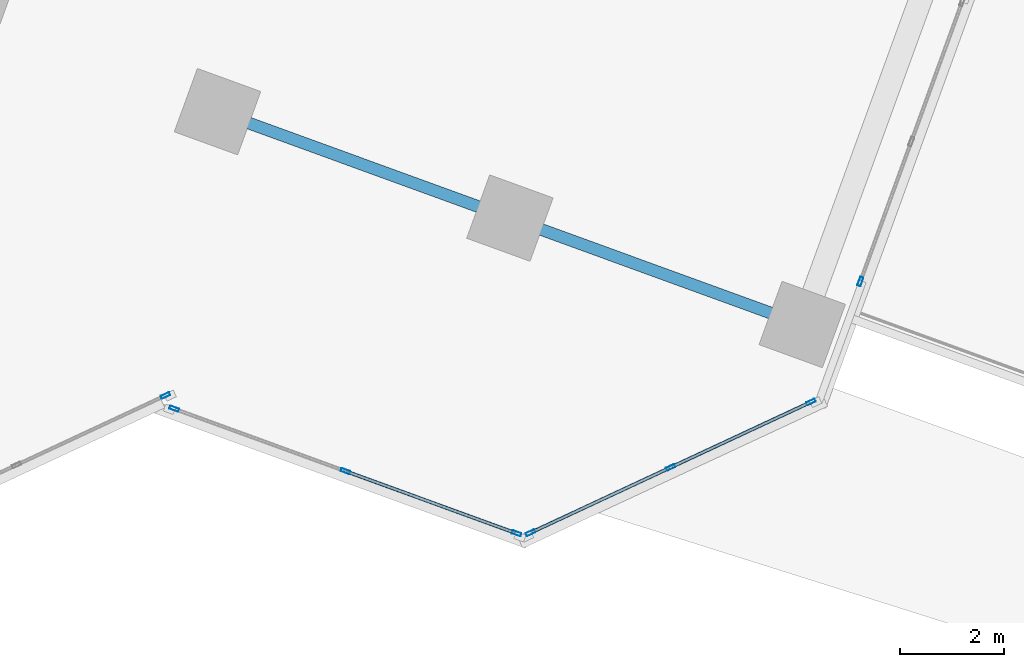
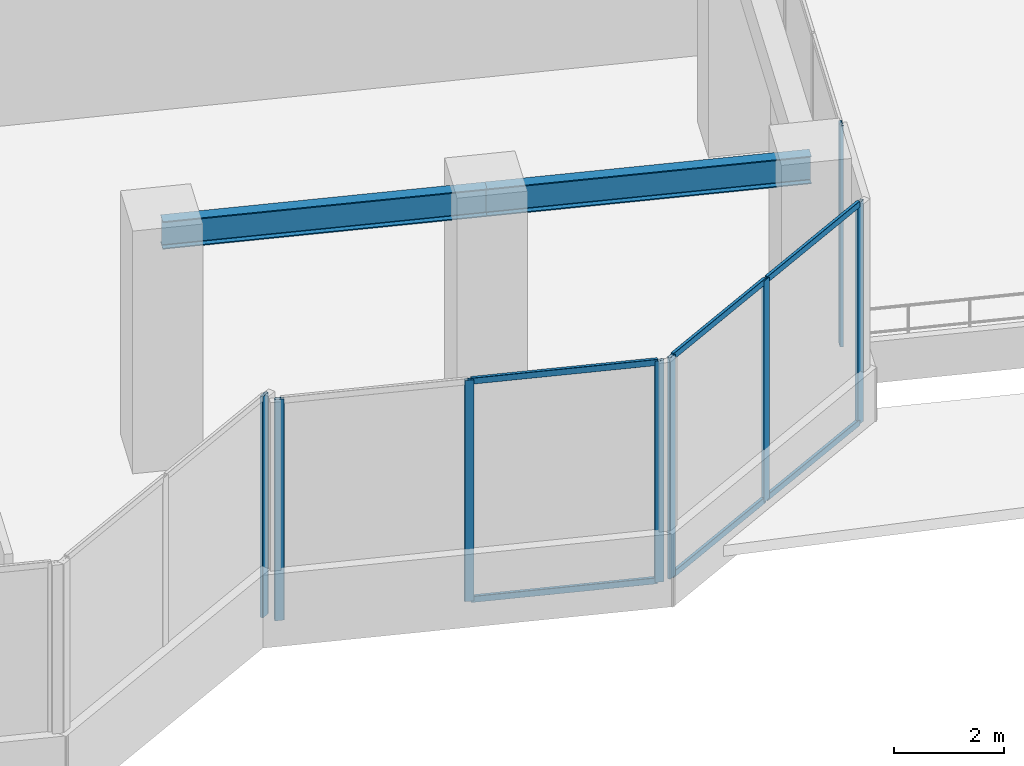
# One storey, part 8 of 21: 14 members, 2 beams, 4 elements without a shape of their own.
"""IFC4 building model written with IfcOpenShell, lengths in metres."""

from ifc_helpers import new_model, si_unit, direction, frame, origin, origin_2d, place, context, subcontext, project, spatial, hollow_rectangle, i_section, extrude, source, transform, mapped, material, material_profile, profile_set, type_object, element, aggregate, save


model = new_model("IFC4")

# Units and contexts
model_context = context("Model", 3, precision=1e-05, world=origin(), true_north=direction((0.0, 1.0)))
body_context = subcontext(model_context, "Body", "Model", "MODEL_VIEW")
ifc_project = project(units=[si_unit("LENGTHUNIT", "METRE"), si_unit("AREAUNIT", "SQUARE_METRE"), si_unit("VOLUMEUNIT", "CUBIC_METRE"), si_unit("PLANEANGLEUNIT", "RADIAN"), si_unit("MASSUNIT", "GRAM", prefix="KILO")], contexts=[model_context])

# Site, building, storey
site_placement = place(None, origin())
site = spatial("IfcSite", under=ifc_project, at=site_placement, CompositionType="ELEMENT")
building_placement = place(site_placement, origin())
building = spatial("IfcBuilding", under=site, at=building_placement, Name="Torre Montelarca", CompositionType="ELEMENT")
storey_placement = place(building_placement, frame((0.0, 0.0, 127.60009765625)))
storey = spatial("IfcBuildingStorey", under=building, at=storey_placement, Name="L28", CompositionType="ELEMENT", Elevation=127.60009765625)

# Beams
ifc_material_1 = material(Name="Steel ASTM A992 Grade 50", Category="steel")
ifc_material_profile_1 = material_profile(ifc_material_1, i_section(OverallWidth=0.22998046875, OverallDepth=0.616943359375, WebThickness=0.01318359375, FlangeThickness=0.022216796875, FilletRadius=0.014892578125, at=origin_2d()), Name="W610X140", Category="steel")
ifc_profile_set_1 = profile_set([ifc_material_profile_1], Name="Steel ASTM A992 Grade 50")
beam_type = type_object("IfcBeamType", Name="BM-G-W610", PredefinedType="BEAM", material=ifc_profile_set_1)
shared_shape_1 = source(origin(), body_context, "Body", "SweptSolid", [
    extrude(i_section(OverallWidth=0.22998046875, OverallDepth=0.616943359375, WebThickness=0.01318359375, FlangeThickness=0.022216796875, FilletRadius=0.014892578125, at=origin_2d()), origin(), (0.0, 0.0, 1.0), 6.0),
])
for number, where, z_axis, x_axis, name in (
    (1, (32.389404296875, 19.523193359375, 4.850830078125), (0.939686455819, -0.342037080957, 0.0), (0.342037080957, 0.939686455819, 0.0), "L28 Grid Girder X 36.0-42.0 at Y=24.0"),
    (2, (38.027587890625, 17.470947265625, 4.850830078125), (0.939699533273, -0.342001150825, 0.0), (0.342001150825, 0.939699533273, 0.0), "L28 Grid Girder X 42.0-48.0 at Y=24.0"),
):
    element("IfcBeam", number, at=place(storey_placement, frame(where, z_axis=z_axis, x_axis=x_axis)), inside=storey, type_object=beam_type, Name=name, PredefinedType="BEAM", context=body_context, shape_type="MappedRepresentation", body=[
        mapped(shared_shape_1, transform((0.0, 0.0, 0.0), scale=1.0)),
    ])

# Curtain wall, members
ifc_material_2 = material(Name="Insulated low-E laminated glass", Category="glass")
curtain_wall_type = type_object("IfcCurtainWallType", Name="CW-SYS-Z2", PredefinedType="USERDEFINED", material=ifc_material_2)
curtain_wall_1_placement = place(storey_placement, origin())
curtain_wall_1 = element("IfcCurtainWall", 3, at=curtain_wall_1_placement, inside=storey, type_object=curtain_wall_type, Name="L28 Curtain Wall Run CW-T3-L28-E05-B1", ObjectType="UNITISED GLAZING", PredefinedType="USERDEFINED")
ifc_material_3 = material(Name="Anodised aluminium AA 6063-T6", Category="aluminium")
ifc_material_profile_2 = material_profile(ifc_material_3, hollow_rectangle(XDim=0.06494140625, YDim=0.139892578125, WallThickness=0.00390625, InnerFilletRadius=0.00390625, OuterFilletRadius=0.008056640625, at=origin_2d()), Name="ALU65X140X4", Category="aluminium")
ifc_profile_set_2 = profile_set([ifc_material_profile_2], Name="Anodised aluminium AA 6063-T6")
member_type_1 = type_object("IfcMemberType", Name="CWT-ALU140", PredefinedType="USERDEFINED", material=ifc_profile_set_2)
shared_shape_2 = source(origin(), body_context, "Body", "SweptSolid", [
    extrude(hollow_rectangle(XDim=0.06494140625, YDim=0.139892578125, WallThickness=0.00390625, InnerFilletRadius=0.00390625, OuterFilletRadius=0.008056640625, at=origin_2d()), origin(), (0.0, 0.0, 1.0), 2.918701171875),
])
member_1_placement = place(storey_placement, frame((38.453369140625, 11.41552734375, 0.032470703125), z_axis=(0.90632199501, 0.422587791305, 0.0), x_axis=(-0.422587791305, 0.90632199501, 0.0)))
member_1 = element("IfcMember", 4, at=member_1_placement, type_object=member_type_1, Name="CW transom 1.1", ObjectType="TRANSOM", PredefinedType="USERDEFINED", context=body_context, shape_type="MappedRepresentation", body=[
    mapped(shared_shape_2, transform((0.0, 0.0, 0.0), scale=1.0)),
])
member_2_placement = place(storey_placement, frame((38.453369140625, 11.41552734375, 4.887451171875), z_axis=(0.90632199501, 0.422587791305, 0.0), x_axis=(-0.422587791305, 0.90632199501, 0.0)))
member_2 = element("IfcMember", 5, at=member_2_placement, type_object=member_type_1, Name="CW transom 1.2", ObjectType="TRANSOM", PredefinedType="USERDEFINED", context=body_context, shape_type="MappedRepresentation", body=[
    mapped(shared_shape_2, transform((0.0, 0.0, 0.0), scale=1.0)),
])
member_3_placement = place(storey_placement, frame((41.157470703125, 12.67626953125, 0.032470703125), z_axis=(0.90632199501, 0.422587791305, 0.0), x_axis=(-0.422587791305, 0.90632199501, 0.0)))
member_3 = element("IfcMember", 6, at=member_3_placement, type_object=member_type_1, Name="CW transom 2.1", ObjectType="TRANSOM", PredefinedType="USERDEFINED", context=body_context, shape_type="MappedRepresentation", body=[
    mapped(shared_shape_2, transform((0.0, 0.0, 0.0), scale=1.0)),
])
member_4_placement = place(storey_placement, frame((41.157470703125, 12.67626953125, 4.887451171875), z_axis=(0.90632199501, 0.422587791305, 0.0), x_axis=(-0.422587791305, 0.90632199501, 0.0)))
member_4 = element("IfcMember", 7, at=member_4_placement, type_object=member_type_1, Name="CW transom 2.2", ObjectType="TRANSOM", PredefinedType="USERDEFINED", context=body_context, shape_type="MappedRepresentation", body=[
    mapped(shared_shape_2, transform((0.0, 0.0, 0.0), scale=1.0)),
])

# Curtain wall, member
curtain_wall_2_placement = place(storey_placement, origin())
curtain_wall_2 = element("IfcCurtainWall", 8, at=curtain_wall_2_placement, inside=storey, type_object=curtain_wall_type, Name="L28 Curtain Wall Run CW-T3-L28-E02-B1", ObjectType="UNITISED GLAZING", PredefinedType="USERDEFINED")
ifc_material_profile_3 = material_profile(ifc_material_3, hollow_rectangle(XDim=0.06494140625, YDim=0.179931640625, WallThickness=0.00390625, InnerFilletRadius=0.00390625, OuterFilletRadius=0.008056640625, at=origin_2d()), Name="ALU65X180X4", Category="aluminium")
ifc_profile_set_3 = profile_set([ifc_material_profile_3], Name="Anodised aluminium AA 6063-T6")
member_type_2 = type_object("IfcMemberType", Name="CWM-ALU180", PredefinedType="MULLION", material=ifc_profile_set_3)
shared_shape_3 = source(origin(), body_context, "Body", "SweptSolid", [
    extrude(hollow_rectangle(XDim=0.06494140625, YDim=0.179931640625, WallThickness=0.00390625, InnerFilletRadius=0.00390625, OuterFilletRadius=0.008056640625, at=origin_2d()), origin(), (0.0, 0.0, 1.0), 4.919921875),
])
member_5_placement = place(storey_placement, frame((31.384033203125, 14.04833984375, 0.0), z_axis=(0.0, 0.0, 1.0), x_axis=(-0.42258947224, 0.906321211244, 0.0)))
member_5 = element("IfcMember", 9, at=member_5_placement, type_object=member_type_2, Name="CW mullion 3", PredefinedType="MULLION", context=body_context, shape_type="MappedRepresentation", body=[
    mapped(shared_shape_3, transform((0.0, 0.0, 0.0), scale=1.0)),
])
aggregate(curtain_wall_2, [member_5])

# Curtain wall, members
curtain_wall_3_placement = place(storey_placement, origin())
curtain_wall_3 = element("IfcCurtainWall", 10, at=curtain_wall_3_placement, inside=storey, type_object=curtain_wall_type, Name="L28 Curtain Wall Run CW-T3-L28-E04-B1", ObjectType="UNITISED GLAZING", PredefinedType="USERDEFINED")
member_6_placement = place(storey_placement, frame((31.553955078125, 13.79345703125, 0.0), z_axis=(0.0, 0.0, 1.0), x_axis=(0.342014760928, 0.939694579801, 0.0)))
member_6 = element("IfcMember", 11, at=member_6_placement, type_object=member_type_2, Name="CW mullion 1", PredefinedType="MULLION", context=body_context, shape_type="MappedRepresentation", body=[
    mapped(shared_shape_3, transform((0.0, 0.0, 0.0), scale=1.0)),
])
member_7_placement = place(storey_placement, frame((34.85546875, 12.591796875, 0.0), z_axis=(0.0, 0.0, 1.0), x_axis=(0.342014760928, 0.939694579801, 0.0)))
member_7 = element("IfcMember", 12, at=member_7_placement, type_object=member_type_2, Name="CW mullion 2", PredefinedType="MULLION", context=body_context, shape_type="MappedRepresentation", body=[
    mapped(shared_shape_3, transform((0.0, 0.0, 0.0), scale=1.0)),
])
member_8_placement = place(storey_placement, frame((38.1572265625, 11.39013671875, 0.0), z_axis=(0.0, 0.0, 1.0), x_axis=(0.342014760928, 0.939694579801, 0.0)))
member_8 = element("IfcMember", 13, at=member_8_placement, type_object=member_type_2, Name="CW mullion 3", PredefinedType="MULLION", context=body_context, shape_type="MappedRepresentation", body=[
    mapped(shared_shape_3, transform((0.0, 0.0, 0.0), scale=1.0)),
])

# Member
member_9_placement = place(storey_placement, frame((38.424072265625, 11.40185546875, 0.0), z_axis=(0.0, 0.0, 1.0), x_axis=(-0.422597755027, 0.906317349192, 0.0)))
member_9 = element("IfcMember", 14, at=member_9_placement, type_object=member_type_2, Name="CW mullion 1", PredefinedType="MULLION", context=body_context, shape_type="MappedRepresentation", body=[
    mapped(shared_shape_3, transform((0.0, 0.0, 0.0), scale=1.0)),
])

member_10_placement = place(storey_placement, frame((41.1279296875, 12.66259765625, 0.0), z_axis=(0.0, 0.0, 1.0), x_axis=(-0.422597755027, 0.906317349192, 0.0)))
member_10 = element("IfcMember", 15, at=member_10_placement, type_object=member_type_2, Name="CW mullion 2", PredefinedType="MULLION", context=body_context, shape_type="MappedRepresentation", body=[
    mapped(shared_shape_3, transform((0.0, 0.0, 0.0), scale=1.0)),
])

member_11_placement = place(storey_placement, frame((43.83203125, 13.923583984375, 0.0), z_axis=(0.0, 0.0, 1.0), x_axis=(-0.422597755027, 0.906317349192, 0.0)))
member_11 = element("IfcMember", 16, at=member_11_placement, type_object=member_type_2, Name="CW mullion 3", PredefinedType="MULLION", context=body_context, shape_type="MappedRepresentation", body=[
    mapped(shared_shape_3, transform((0.0, 0.0, 0.0), scale=1.0)),
])

aggregate(curtain_wall_1, [member_9, member_10, member_11, member_1, member_2, member_3, member_4])

# Curtain wall, member
curtain_wall_4_placement = place(storey_placement, origin())
curtain_wall_4 = element("IfcCurtainWall", 17, at=curtain_wall_4_placement, inside=storey, type_object=curtain_wall_type, Name="L28 Curtain Wall Run CW-T3-L28-E06-B1", ObjectType="UNITISED GLAZING", PredefinedType="USERDEFINED")
member_12_placement = place(storey_placement, frame((44.786865234375, 16.248046875, 0.0), z_axis=(0.0, 0.0, 1.0), x_axis=(-0.939691457265, 0.342023340056, 0.0)))
member_12 = element("IfcMember", 18, at=member_12_placement, type_object=member_type_2, Name="CW mullion 1", PredefinedType="MULLION", context=body_context, shape_type="MappedRepresentation", body=[
    mapped(shared_shape_3, transform((0.0, 0.0, 0.0), scale=1.0)),
])
aggregate(curtain_wall_4, [member_12])

# Member
shared_shape_4 = source(origin(), body_context, "Body", "SweptSolid", [
    extrude(hollow_rectangle(XDim=0.06494140625, YDim=0.139892578125, WallThickness=0.00390625, InnerFilletRadius=0.00390625, OuterFilletRadius=0.008056640625, at=origin_2d()), origin(), (0.0, 0.0, 1.0), 3.44873046875),
])
member_13_placement = place(storey_placement, frame((34.885986328125, 12.58056640625, 0.032470703125), z_axis=(0.939700376564, -0.341998833749, 0.0), x_axis=(0.341998833749, 0.939700376564, 0.0)))
member_13 = element("IfcMember", 19, at=member_13_placement, type_object=member_type_1, Name="CW transom 2.1", ObjectType="TRANSOM", PredefinedType="USERDEFINED", context=body_context, shape_type="MappedRepresentation", body=[
    mapped(shared_shape_4, transform((0.0, 0.0, 0.0), scale=1.0)),
])

member_14_placement = place(storey_placement, frame((34.885986328125, 12.58056640625, 4.887451171875), z_axis=(0.939700376564, -0.341998833749, 0.0), x_axis=(0.341998833749, 0.939700376564, 0.0)))
member_14 = element("IfcMember", 20, at=member_14_placement, type_object=member_type_1, Name="CW transom 2.2", ObjectType="TRANSOM", PredefinedType="USERDEFINED", context=body_context, shape_type="MappedRepresentation", body=[
    mapped(shared_shape_4, transform((0.0, 0.0, 0.0), scale=1.0)),
])

aggregate(curtain_wall_3, [member_6, member_7, member_8, member_13, member_14])

save(model, "model.ifc")
